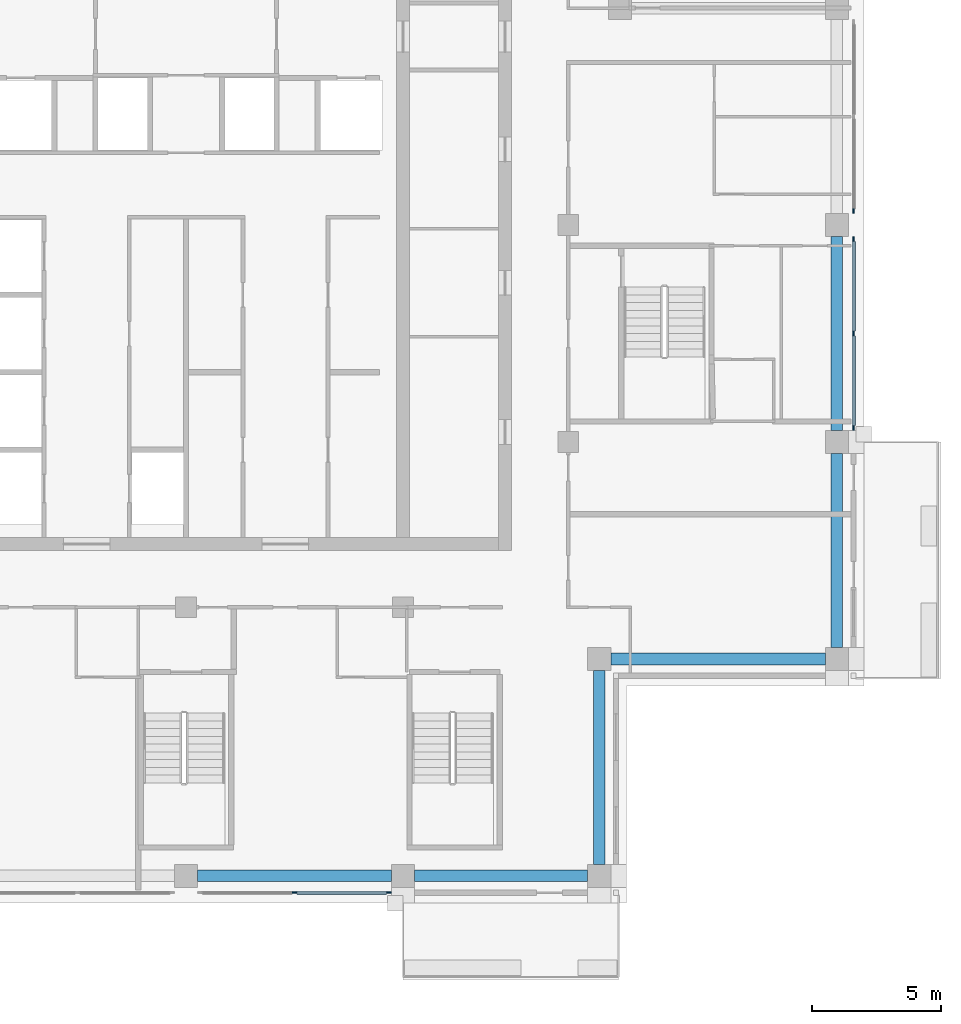
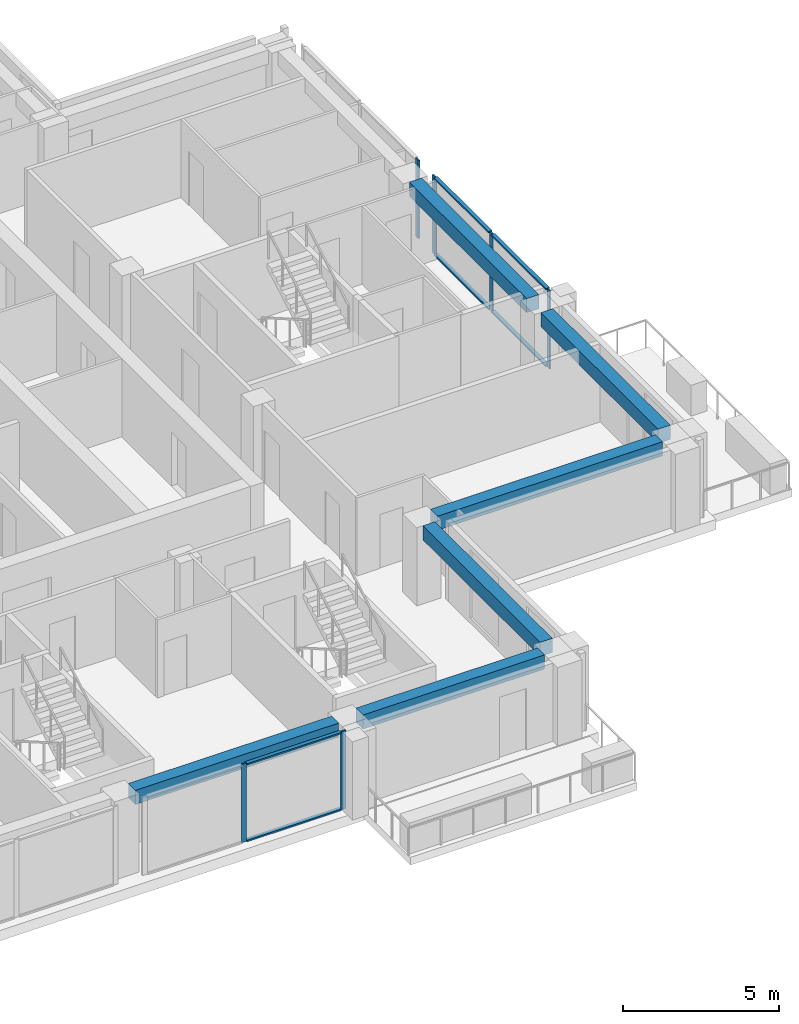
# One storey, part 4 of 19: 12 members, 6 beams, 3 elements without a shape of their own.
"""IFC4 building model written with IfcOpenShell, lengths in metres."""

from ifc_helpers import new_model, si_unit, direction, frame, origin, origin_2d, place, context, subcontext, project, spatial, rectangle, extrude, material, material_profile, profile_set, type_object, element, aggregate, save


model = new_model("IFC4")

# Units and contexts
model_context = context("Model", 3, precision=1e-05, world=origin(), true_north=direction((0.0, 1.0)))
body_context = subcontext(model_context, "Body", "Model", "MODEL_VIEW")
ifc_project = project(units=[si_unit("LENGTHUNIT", "METRE"), si_unit("AREAUNIT", "SQUARE_METRE"), si_unit("VOLUMEUNIT", "CUBIC_METRE"), si_unit("PLANEANGLEUNIT", "RADIAN"), si_unit("MASSUNIT", "GRAM", prefix="KILO")], contexts=[model_context])

# Site, building, storey
site_placement = place(None, origin())
site = spatial("IfcSite", under=ifc_project, at=site_placement, CompositionType="ELEMENT")
building_placement = place(site_placement, origin())
building = spatial("IfcBuilding", under=site, at=building_placement, Name="Vermilion Ogive Tower", CompositionType="ELEMENT")
storey_placement = place(building_placement, frame((0.0, 0.0, 226.89990234375)))
storey = spatial("IfcBuildingStorey", under=building, at=storey_placement, Name="L59", CompositionType="ELEMENT", Elevation=226.89990234375)

# Curtain wall, members
ifc_material_1 = material(Name="Low-iron laminated glazing in aluminium frame", Category="aluminium")
curtain_wall_type = type_object("IfcCurtainWallType", Name="Curtain wall CW7", PredefinedType="NOTDEFINED", material=ifc_material_1)
curtain_wall_1_placement = place(storey_placement, origin())
curtain_wall_1 = element("IfcCurtainWall", 1, at=curtain_wall_1_placement, inside=storey, type_object=curtain_wall_type, Name="Glazed skin S3", PredefinedType="NOTDEFINED")
ifc_material_2 = material(Name="Aluminium mullion", Category="aluminium")
ifc_material_profile_1 = material_profile(ifc_material_2, rectangle(XDim=0.06005859375, YDim=0.179931640625, at=origin_2d()), Name="AL 60x180")
ifc_profile_set_1 = profile_set([ifc_material_profile_1], Name="Aluminium mullion")
member_type_1 = type_object("IfcMemberType", Name="CW7 mullion 60x180", PredefinedType="MULLION", material=ifc_profile_set_1)
member_1_placement = place(storey_placement, frame((4.199951171875, -21.64990234375, 0.0), z_axis=(0.0, 0.0, 1.0), x_axis=(0.0, 1.0, 0.0)))
member_1 = element("IfcMember", 2, at=member_1_placement, type_object=member_type_1, Name="CW7-S3 mullion 2", PredefinedType="MULLION", context=body_context, shape_type="SweptSolid", body=[
    extrude(rectangle(XDim=0.06005859375, YDim=0.179931640625, at=origin_2d()), origin(), (0.0, 0.0, 1.0), 3.050048828125),
])
member_2_placement = place(storey_placement, frame((7.860107421875, -21.64990234375, 0.0), z_axis=(0.0, 0.0, 1.0), x_axis=(0.0, 1.0, 0.0)))
member_2 = element("IfcMember", 3, at=member_2_placement, type_object=member_type_1, Name="CW7-S3 mullion 3", PredefinedType="MULLION", context=body_context, shape_type="SweptSolid", body=[
    extrude(rectangle(XDim=0.06005859375, YDim=0.179931640625, at=origin_2d()), origin(), (0.0, 0.0, 1.0), 3.050048828125),
])

curtain_wall_2_placement = place(storey_placement, origin())
curtain_wall_2 = element("IfcCurtainWall", 4, at=curtain_wall_2_placement, inside=storey, type_object=curtain_wall_type, Name="Glazed skin E2", PredefinedType="NOTDEFINED")
member_3_placement = place(storey_placement, frame((25.85009765625, -3.659912109375, 0.0), z_axis=(0.0, 0.0, 1.0), x_axis=(-1.0, 0.0, 0.0)))
member_3 = element("IfcMember", 5, at=member_3_placement, type_object=member_type_1, Name="CW7-E2 mullion 1", PredefinedType="MULLION", context=body_context, shape_type="SweptSolid", body=[
    extrude(rectangle(XDim=0.06005859375, YDim=0.179931640625, at=origin_2d()), origin(), (0.0, 0.0, 1.0), 3.050048828125),
])
member_4_placement = place(storey_placement, frame((25.85009765625, 0.0, 0.0), z_axis=(0.0, 0.0, 1.0), x_axis=(-1.0, 0.0, 0.0)))
member_4 = element("IfcMember", 6, at=member_4_placement, type_object=member_type_1, Name="CW7-E2 mullion 2", PredefinedType="MULLION", context=body_context, shape_type="SweptSolid", body=[
    extrude(rectangle(XDim=0.06005859375, YDim=0.179931640625, at=origin_2d()), origin(), (0.0, 0.0, 1.0), 3.050048828125),
])
member_5_placement = place(storey_placement, frame((25.85009765625, 3.659912109375, 0.0), z_axis=(0.0, 0.0, 1.0), x_axis=(-1.0, 0.0, 0.0)))
member_5 = element("IfcMember", 7, at=member_5_placement, type_object=member_type_1, Name="CW7-E2 mullion 3", PredefinedType="MULLION", context=body_context, shape_type="SweptSolid", body=[
    extrude(rectangle(XDim=0.06005859375, YDim=0.179931640625, at=origin_2d()), origin(), (0.0, 0.0, 1.0), 3.050048828125),
])

# Curtain wall, member
curtain_wall_3_placement = place(storey_placement, origin())
curtain_wall_3 = element("IfcCurtainWall", 8, at=curtain_wall_3_placement, inside=storey, type_object=curtain_wall_type, Name="Glazed skin E3", PredefinedType="NOTDEFINED")
member_6_placement = place(storey_placement, frame((25.85009765625, 4.739990234375, 0.0), z_axis=(0.0, 0.0, 1.0), x_axis=(-1.0, 0.0, 0.0)))
member_6 = element("IfcMember", 9, at=member_6_placement, type_object=member_type_1, Name="CW7-E3 mullion 1", PredefinedType="MULLION", context=body_context, shape_type="SweptSolid", body=[
    extrude(rectangle(XDim=0.06005859375, YDim=0.179931640625, at=origin_2d()), origin(), (0.0, 0.0, 1.0), 3.050048828125),
])
aggregate(curtain_wall_3, [member_6])

# Member
ifc_material_3 = material(Name="Aluminium transom", Category="aluminium")
ifc_material_profile_2 = material_profile(ifc_material_3, rectangle(XDim=0.139892578125, YDim=0.06005859375, at=origin_2d()), Name="AL 60x140")
ifc_profile_set_2 = profile_set([ifc_material_profile_2], Name="Aluminium transom")
member_type_2 = type_object("IfcMemberType", Name="CW7 transom 60x140", PredefinedType="USERDEFINED", material=ifc_profile_set_2)
member_7_placement = place(storey_placement, frame((4.2900390625, -21.64990234375, 0.030029296875), z_axis=(1.0, 0.0, 0.0), x_axis=(0.0, 1.0, 0.0)))
member_7 = element("IfcMember", 10, at=member_7_placement, type_object=member_type_2, Name="CW7-S3 transom 2.1", ObjectType="TRANSOM", PredefinedType="USERDEFINED", context=body_context, shape_type="SweptSolid", body=[
    extrude(rectangle(XDim=0.139892578125, YDim=0.06005859375, at=origin_2d()), origin(), (0.0, 0.0, 1.0), 3.47998046875),
])

member_8_placement = place(storey_placement, frame((4.2900390625, -21.64990234375, 3.02001953125), z_axis=(1.0, 0.0, 0.0), x_axis=(0.0, 1.0, 0.0)))
member_8 = element("IfcMember", 11, at=member_8_placement, type_object=member_type_2, Name="CW7-S3 transom 2.2", ObjectType="TRANSOM", PredefinedType="USERDEFINED", context=body_context, shape_type="SweptSolid", body=[
    extrude(rectangle(XDim=0.139892578125, YDim=0.06005859375, at=origin_2d()), origin(), (0.0, 0.0, 1.0), 3.47998046875),
])

aggregate(curtain_wall_1, [member_1, member_2, member_7, member_8])

member_9_placement = place(storey_placement, frame((25.85009765625, -3.570068359375, 0.030029296875), z_axis=(0.0, 1.0, 0.0), x_axis=(-1.0, 0.0, 0.0)))
member_9 = element("IfcMember", 12, at=member_9_placement, type_object=member_type_2, Name="CW7-E2 transom 1.1", ObjectType="TRANSOM", PredefinedType="USERDEFINED", context=body_context, shape_type="SweptSolid", body=[
    extrude(rectangle(XDim=0.139892578125, YDim=0.06005859375, at=origin_2d()), origin(), (0.0, 0.0, 1.0), 3.47998046875),
])

member_10_placement = place(storey_placement, frame((25.85009765625, -3.570068359375, 3.02001953125), z_axis=(0.0, 1.0, 0.0), x_axis=(-1.0, 0.0, 0.0)))
member_10 = element("IfcMember", 13, at=member_10_placement, type_object=member_type_2, Name="CW7-E2 transom 1.2", ObjectType="TRANSOM", PredefinedType="USERDEFINED", context=body_context, shape_type="SweptSolid", body=[
    extrude(rectangle(XDim=0.139892578125, YDim=0.06005859375, at=origin_2d()), origin(), (0.0, 0.0, 1.0), 3.47998046875),
])

member_11_placement = place(storey_placement, frame((25.85009765625, 0.090087890625, 0.030029296875), z_axis=(0.0, 1.0, 0.0), x_axis=(-1.0, 0.0, 0.0)))
member_11 = element("IfcMember", 14, at=member_11_placement, type_object=member_type_2, Name="CW7-E2 transom 2.1", ObjectType="TRANSOM", PredefinedType="USERDEFINED", context=body_context, shape_type="SweptSolid", body=[
    extrude(rectangle(XDim=0.139892578125, YDim=0.06005859375, at=origin_2d()), origin(), (0.0, 0.0, 1.0), 3.47998046875),
])

member_12_placement = place(storey_placement, frame((25.85009765625, 0.090087890625, 3.02001953125), z_axis=(0.0, 1.0, 0.0), x_axis=(-1.0, 0.0, 0.0)))
member_12 = element("IfcMember", 15, at=member_12_placement, type_object=member_type_2, Name="CW7-E2 transom 2.2", ObjectType="TRANSOM", PredefinedType="USERDEFINED", context=body_context, shape_type="SweptSolid", body=[
    extrude(rectangle(XDim=0.139892578125, YDim=0.06005859375, at=origin_2d()), origin(), (0.0, 0.0, 1.0), 3.47998046875),
])

aggregate(curtain_wall_2, [member_3, member_4, member_5, member_9, member_10, member_11, member_12])

# Beams
ifc_material_4 = material(Name="Concrete B45", Category="concrete")
ifc_material_profile_3 = material_profile(ifc_material_4, rectangle(XDim=0.449951171875, YDim=0.550048828125, at=origin_2d()), Name="450 x 550")
ifc_profile_set_3 = profile_set([ifc_material_profile_3], Name="Concrete B45")
beam_type = type_object("IfcBeamType", Name="Edge beam 450 x 550 B45", PredefinedType="BEAM", material=ifc_profile_set_3)
beam_1_placement = place(storey_placement, frame((0.449951171875, -21.0, 2.775146484375), z_axis=(1.0, 0.0, 0.0), x_axis=(0.0, 1.0, 0.0)))
element("IfcBeam", 16, at=beam_1_placement, inside=storey, type_object=beam_type, Name="L59-EB-3", PredefinedType="BEAM", context=body_context, shape_type="SweptSolid", body=[
    extrude(rectangle(XDim=0.449951171875, YDim=0.550048828125, at=origin_2d()), origin(), (0.0, 0.0, 1.0), 7.5),
])
beam_2_placement = place(storey_placement, frame((8.85009765625, -21.0, 2.775146484375), z_axis=(1.0, 0.0, 0.0), x_axis=(0.0, 1.0, 0.0)))
element("IfcBeam", 17, at=beam_2_placement, inside=storey, type_object=beam_type, Name="L59-EB-4", PredefinedType="BEAM", context=body_context, shape_type="SweptSolid", body=[
    extrude(rectangle(XDim=0.449951171875, YDim=0.550048828125, at=origin_2d()), origin(), (0.0, 0.0, 1.0), 6.699951171875),
])
beam_3_placement = place(storey_placement, frame((16.0, -20.550048828125, 2.775146484375), z_axis=(0.0, 1.0, 0.0), x_axis=(-1.0, 0.0, 0.0)))
element("IfcBeam", 18, at=beam_3_placement, inside=storey, type_object=beam_type, Name="L59-EB-5", PredefinedType="BEAM", context=body_context, shape_type="SweptSolid", body=[
    extrude(rectangle(XDim=0.449951171875, YDim=0.550048828125, at=origin_2d()), origin(), (0.0, 0.0, 1.0), 7.5),
])
beam_4_placement = place(storey_placement, frame((16.449951171875, -12.60009765625, 2.775146484375), z_axis=(1.0, 0.0, 0.0), x_axis=(0.0, 1.0, 0.0)))
element("IfcBeam", 19, at=beam_4_placement, inside=storey, type_object=beam_type, Name="L59-EB-6", PredefinedType="BEAM", context=body_context, shape_type="SweptSolid", body=[
    extrude(rectangle(XDim=0.449951171875, YDim=0.550048828125, at=origin_2d()), origin(), (0.0, 0.0, 1.0), 8.300048828125),
])
for number, where, z_axis, x_axis, name in (
    (20, (25.199951171875, -12.14990234375, 2.775146484375), (0.0, 1.0, 0.0), (-1.0, 0.0, 0.0), "L59-EB-7"),
    (21, (25.199951171875, -3.75, 2.775146484375), (0.0, 1.0, 0.0), (-1.0, 0.0, 0.0), "L59-EB-8"),
):
    element("IfcBeam", number, at=place(storey_placement, frame(where, z_axis=z_axis, x_axis=x_axis)), inside=storey, type_object=beam_type, Name=name, PredefinedType="BEAM", context=body_context, shape_type="SweptSolid", body=[
        extrude(rectangle(XDim=0.449951171875, YDim=0.550048828125, at=origin_2d()), origin(), (0.0, 0.0, 1.0), 7.5),
    ])

save(model, "model.ifc")
